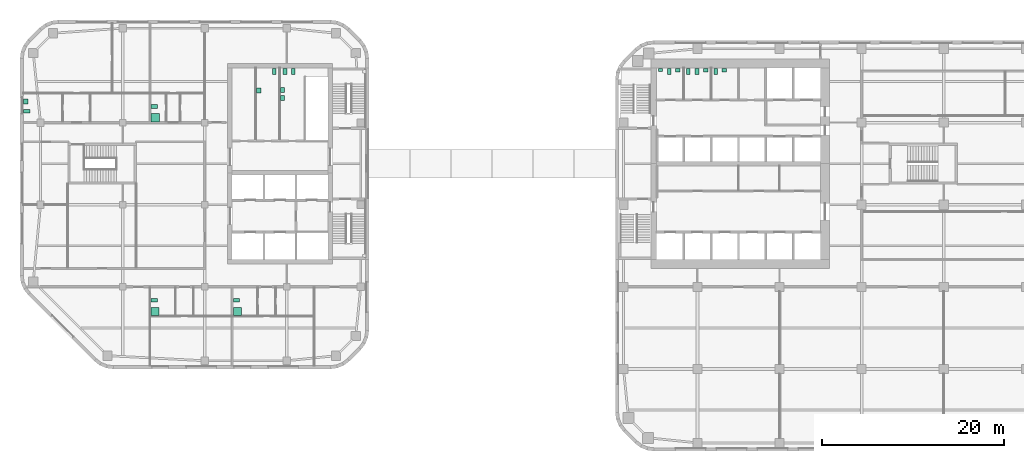
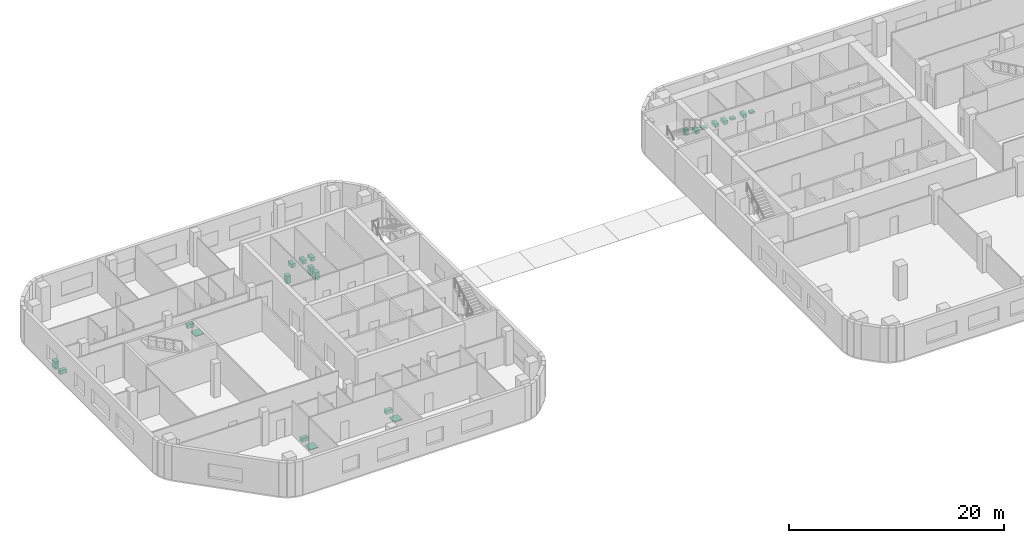
# One storey, part 15 of 15: 22 sanitary terminals.
"""IFC4 building model written with IfcOpenShell, lengths in metres."""

from ifc_helpers import new_model, si_unit, direction, frame, origin, origin_2d, place, context, subcontext, project, spatial, rectangle, extrude, material, type_object, element, save


model = new_model("IFC4")

# Units and contexts
model_context = context("Model", 3, precision=1e-05, world=origin(), true_north=direction((0.0, 1.0)))
body_context = subcontext(model_context, "Body", "Model", "MODEL_VIEW")
ifc_project = project(units=[si_unit("LENGTHUNIT", "METRE"), si_unit("AREAUNIT", "SQUARE_METRE"), si_unit("VOLUMEUNIT", "CUBIC_METRE"), si_unit("PLANEANGLEUNIT", "RADIAN"), si_unit("MASSUNIT", "GRAM", prefix="KILO")], contexts=[model_context])

# Site, building, storey
site_placement = place(None, origin())
site = spatial("IfcSite", under=ifc_project, at=site_placement, CompositionType="ELEMENT")
building_placement = place(site_placement, origin())
building = spatial("IfcBuilding", under=site, at=building_placement, Name="Cinnabar Reach Civic Tower", CompositionType="ELEMENT")
storey_placement = place(building_placement, frame((0.0, 0.0, 75.0)))
storey = spatial("IfcBuildingStorey", under=building, at=storey_placement, Name="L17", CompositionType="ELEMENT", Elevation=75.0)

# Sanitary terminals
ifc_material_1 = material(Name="Vitreous china")
sanitary_terminal_type_1 = type_object("IfcSanitaryTerminalType", Name="T1 WC pan", PredefinedType="TOILETPAN", material=ifc_material_1)
for number, where, z_axis, x_axis, name in (
    (1, (5.9, 41.6, 0.0), (0.0, 0.0, 1.0), (1.0, 0.0, 0.0), "T1 WC pan 1707-2"),
    (2, (8.0, 41.6, 0.0), (0.0, 0.0, 1.0), (1.0, 0.0, 0.0), "T1 WC pan 1708-1"),
    (3, (8.95, 41.6, 0.0), (0.0, 0.0, 1.0), (1.0, 0.0, 0.0), "T1 WC pan 1708-2"),
    (4, (11.0, 41.6, 0.0), (0.0, 0.0, 1.0), (1.0, 0.0, 0.0), "T1 WC pan 1709-1"),
):
    element("IfcSanitaryTerminal", number, at=place(storey_placement, frame(where, z_axis=z_axis, x_axis=x_axis)), inside=storey, type_object=sanitary_terminal_type_1, Name=name, PredefinedType="TOILETPAN", context=body_context, shape_type="SweptSolid", body=[
        extrude(rectangle(XDim=0.4, YDim=0.7, at=origin_2d()), origin(), (0.0, 0.0, 1.0), 0.4),
    ])
sanitary_terminal_type_2 = type_object("IfcSanitaryTerminalType", Name="T1 urinal", PredefinedType="URINAL", material=ifc_material_1)
sanitary_terminal_placement = place(storey_placement, frame((4.95, 41.775, 0.0), z_axis=(0.0, 0.0, 1.0), x_axis=(1.0, 0.0, 0.0)))
element("IfcSanitaryTerminal", 5, at=sanitary_terminal_placement, inside=storey, type_object=sanitary_terminal_type_2, Name="T1 urinal 1707-1", PredefinedType="URINAL", context=body_context, shape_type="SweptSolid", body=[
    extrude(rectangle(XDim=0.4, YDim=0.35, at=origin_2d()), origin(), (0.0, 0.0, 1.0), 0.6),
])
sanitary_terminal_type_3 = type_object("IfcSanitaryTerminalType", Name="T1 wash basin", PredefinedType="WASHHANDBASIN", material=ifc_material_1)
for number, where, z_axis, x_axis, name in (
    (6, (6.85, 41.74, 0.0), (0.0, 0.0, 1.0), (1.0, 0.0, 0.0), "T1 wash basin 1707-3"),
    (7, (9.9, 41.74, 0.0), (0.0, 0.0, 1.0), (1.0, 0.0, 0.0), "T1 wash basin 1708-3"),
    (8, (11.95, 41.74, 0.0), (0.0, 0.0, 1.0), (1.0, 0.0, 0.0), "T1 wash basin 1709-2"),
):
    element("IfcSanitaryTerminal", number, at=place(storey_placement, frame(where, z_axis=z_axis, x_axis=x_axis)), inside=storey, type_object=sanitary_terminal_type_3, Name=name, PredefinedType="WASHHANDBASIN", context=body_context, shape_type="SweptSolid", body=[
        extrude(rectangle(XDim=0.5, YDim=0.42, at=origin_2d()), origin(), (0.0, 0.0, 1.0), 0.2),
    ])
ifc_material_2 = material(Name="Acrylic tray")
sanitary_terminal_type_4 = type_object("IfcSanitaryTerminalType", Name="T2 Shower tray", PredefinedType="SHOWER", material=ifc_material_2)
for number, where, z_axis, x_axis, name in (
    (9, (-50.45, 15.3, 0.0), (0.0, 0.0, 1.0), (1.0, 0.0, 0.0), "Shower tray"),
    (10, (-41.425, 15.3, 0.0), (0.0, 0.0, 1.0), (1.0, 0.0, 0.0), "Shower tray"),
    (11, (-50.425, 36.525, 0.0), (0.0, 0.0, 1.0), (1.0, 0.0, 0.0), "Shower tray"),
):
    element("IfcSanitaryTerminal", number, at=place(storey_placement, frame(where, z_axis=z_axis, x_axis=x_axis)), inside=storey, type_object=sanitary_terminal_type_4, Name=name, PredefinedType="SHOWER", context=body_context, shape_type="SweptSolid", body=[
        extrude(rectangle(XDim=0.9, YDim=0.9, at=origin_2d()), origin(), (0.0, 0.0, 1.0), 0.1),
    ])
sanitary_terminal_type_5 = type_object("IfcSanitaryTerminalType", Name="T2 WC pan", PredefinedType="TOILETPAN", material=ifc_material_1)
for number, where, z_axis, x_axis, name in (
    (12, (-37.4, 41.6, 0.0), (0.0, 0.0, 1.0), (1.0, 0.0, 0.0), "WC pan"),
    (13, (-36.2, 41.6, 0.0), (0.0, 0.0, 1.0), (1.0, 0.0, 0.0), "WC pan"),
    (14, (-35.3, 41.6, 0.0), (0.0, 0.0, 1.0), (1.0, 0.0, 0.0), "WC pan"),
):
    element("IfcSanitaryTerminal", number, at=place(storey_placement, frame(where, z_axis=z_axis, x_axis=x_axis)), inside=storey, type_object=sanitary_terminal_type_5, Name=name, PredefinedType="TOILETPAN", context=body_context, shape_type="SweptSolid", body=[
        extrude(rectangle(XDim=0.4, YDim=0.7, at=origin_2d()), origin(), (0.0, 0.0, 1.0), 0.42),
    ])
for number, where, z_axis, x_axis, name in (
    (15, (-50.55, 16.55, 0.0), (0.0, 0.0, 1.0), (1.0, 0.0, 0.0), "WC pan"),
    (16, (-41.525, 16.55, 0.0), (0.0, 0.0, 1.0), (1.0, 0.0, 0.0), "WC pan"),
    (17, (-64.49, 37.25, 0.0), (0.0, 0.0, 1.0), (1.0, 0.0, 0.0), "WC pan"),
    (18, (-50.525, 37.775, 0.0), (0.0, 0.0, 1.0), (1.0, 0.0, 0.0), "WC pan"),
):
    element("IfcSanitaryTerminal", number, at=place(storey_placement, frame(where, z_axis=z_axis, x_axis=x_axis)), inside=storey, type_object=sanitary_terminal_type_5, Name=name, PredefinedType="TOILETPAN", context=body_context, shape_type="SweptSolid", body=[
        extrude(rectangle(XDim=0.7, YDim=0.4, at=origin_2d()), origin(), (0.0, 0.0, 1.0), 0.42),
    ])
sanitary_terminal_type_6 = type_object("IfcSanitaryTerminalType", Name="T2 Wash basin", PredefinedType="WASHHANDBASIN", material=ifc_material_1)
for number, where, z_axis, x_axis, name in (
    (19, (-39.075, 39.5, 0.0), (0.0, 0.0, 1.0), (1.0, 0.0, 0.0), "Wash basin"),
    (20, (-36.475, 39.6, 0.0), (0.0, 0.0, 1.0), (1.0, 0.0, 0.0), "Wash basin"),
    (21, (-36.475, 38.7, 0.0), (0.0, 0.0, 1.0), (1.0, 0.0, 0.0), "Wash basin"),
    (22, (-64.615, 38.3, 0.0), (0.0, 0.0, 1.0), (1.0, 0.0, 0.0), "Wash basin"),
):
    element("IfcSanitaryTerminal", number, at=place(storey_placement, frame(where, z_axis=z_axis, x_axis=x_axis)), inside=storey, type_object=sanitary_terminal_type_6, Name=name, PredefinedType="WASHHANDBASIN", context=body_context, shape_type="SweptSolid", body=[
        extrude(rectangle(XDim=0.45, YDim=0.55, at=origin_2d()), origin(), (0.0, 0.0, 1.0), 0.85),
    ])

save(model, "model.ifc")
